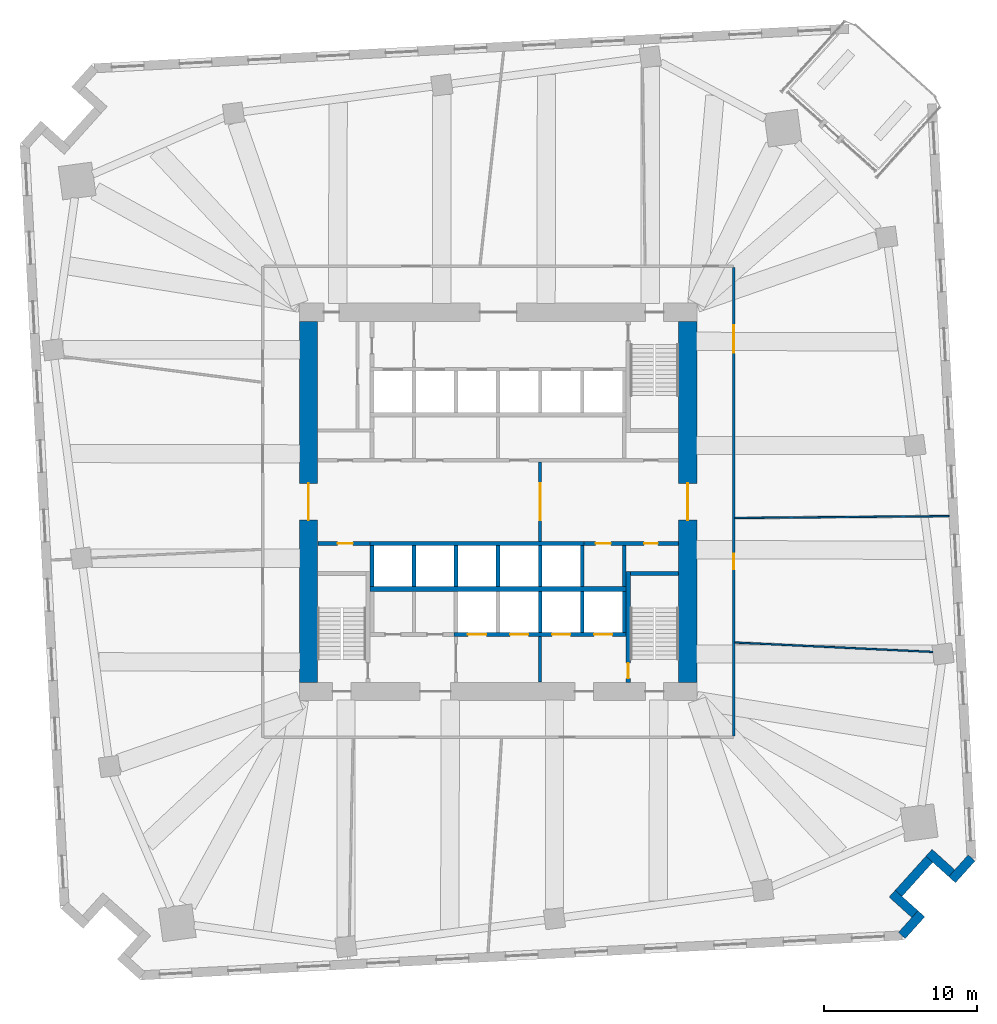
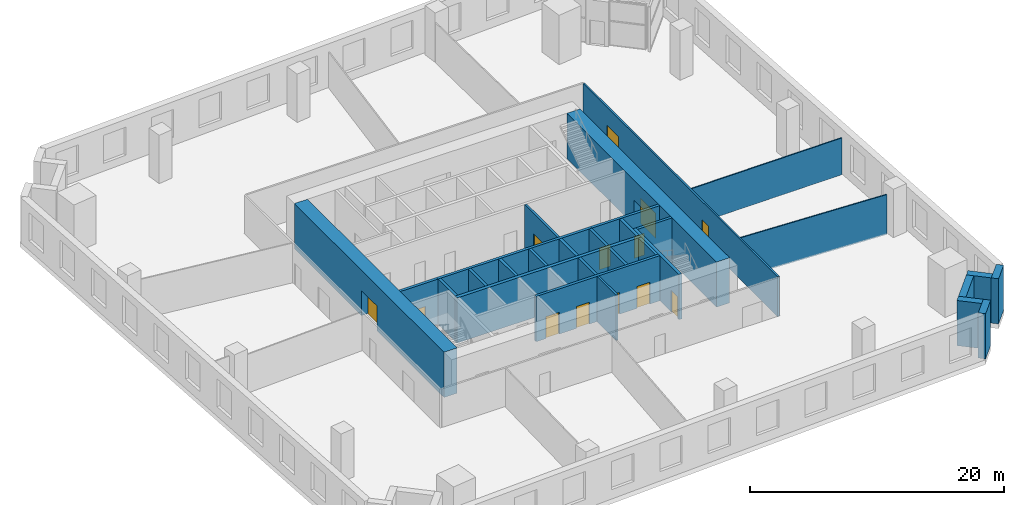
# One storey, part 5 of 10: 29 walls, 13 doors, 13 openings.
"""IFC4 building model written with IfcOpenShell, lengths in metres."""

import ifcopenshell
import ifcopenshell.guid

model = None  # the IFC model being written
_history = None  # IfcOwnerHistory: only IFC2X3 demands one
_inside = {}  # id of a spatial element -> (the spatial element, [elements in it])
_under = {}  # id of a project, library or spatial element -> (it, [spatial elements below it])
_declared = {}  # id of a project -> (the project, [libraries it declares])
_typed = {}  # id of a type object -> (the type object, [elements of that type])
_made_of = {}  # id of a material, layer set ... -> (it, [elements and type objects made of it])


def new_model(schema):
    """Start an empty IFC model of exactly this schema.

    Asked for "IFC4X3", IfcOpenShell would pick the latest addendum, in which some entities
    have other attributes; the version numbers below select the first issue.
    IFC2X3 requires an IfcOwnerHistory on every rooted entity: one is made here for all.
    """
    global model, _history
    if schema == "IFC4X3":
        model = ifcopenshell.file(schema_version=(4, 3, 0, 0))
    else:
        model = ifcopenshell.file(schema=schema)
    _inside.clear()
    _under.clear()
    _declared.clear()
    _typed.clear()
    _made_of.clear()
    _history = None
    if model.schema == "IFC2X3":
        org = make("IfcOrganization", Name="unknown")
        user = make(
            "IfcPersonAndOrganization",
            ThePerson=make("IfcPerson", FamilyName="unknown"),
            TheOrganization=org,
        )
        app = make(
            "IfcApplication",
            ApplicationDeveloper=org,
            Version="unknown",
            ApplicationFullName="unknown",
            ApplicationIdentifier="unknown",
        )
        _history = make(
            "IfcOwnerHistory",
            OwningUser=user,
            OwningApplication=app,
            ChangeAction="ADDED",
            CreationDate=0,
        )
    return model


def make(cls, **values):
    """One entity of the class cls with the attributes given. An attribute that is None is left unset."""
    return model.create_entity(
        cls, **{name: value for name, value in values.items() if value is not None}
    )


def rooted(cls, **values):
    """An entity with a GlobalId (a new one), such as an element, a storey or a relation."""
    return make(cls, GlobalId=ifcopenshell.guid.new(), OwnerHistory=_history, **values)


def si_unit(unit_type, name, prefix=None):
    """IfcSIUnit, for example si_unit("LENGTHUNIT", "METRE", prefix="MILLI")."""
    return make("IfcSIUnit", UnitType=unit_type, Prefix=prefix, Name=name)


def assignment(units):
    """IfcUnitAssignment: the units of a project."""
    return None if units is None else make("IfcUnitAssignment", Units=units)


def point(xyz):
    """IfcCartesianPoint."""
    return None if xyz is None else make("IfcCartesianPoint", Coordinates=xyz)


def direction(xyz):
    """IfcDirection."""
    return None if xyz is None else make("IfcDirection", DirectionRatios=xyz)


def frame(location, z_axis=None, x_axis=None):
    """IfcAxis2Placement3D, a coordinate frame: its origin and axes. An axis left out is left unset."""
    return make(
        "IfcAxis2Placement3D",
        Location=point(location),
        Axis=direction(z_axis),
        RefDirection=direction(x_axis),
    )


def frame_2d(location, x_axis=None):
    """IfcAxis2Placement2D, a coordinate frame in the plane: its origin and x axis."""
    return make(
        "IfcAxis2Placement2D", Location=point(location), RefDirection=direction(x_axis)
    )


def origin():
    """The frame at (0, 0, 0) with its axes left unset."""
    return frame((0.0, 0.0, 0.0))


def place(relative_to, where):
    """IfcLocalPlacement: puts the frame where relative to a parent placement (None: the world)."""
    return make(
        "IfcLocalPlacement", PlacementRelTo=relative_to, RelativePlacement=where
    )


def context(
    kind, dimensions, precision=None, world=None, true_north=None, identifier=None
):
    """IfcGeometricRepresentationContext, for example the 3D "Model" context."""
    return make(
        "IfcGeometricRepresentationContext",
        ContextIdentifier=identifier,
        ContextType=kind,
        CoordinateSpaceDimension=dimensions,
        Precision=precision,
        WorldCoordinateSystem=world,
        TrueNorth=true_north,
    )


def subcontext(parent, identifier, kind, view, scale=None):
    """IfcGeometricRepresentationSubContext, for example "Body" below "Model"."""
    return make(
        "IfcGeometricRepresentationSubContext",
        ContextIdentifier=identifier,
        ContextType=kind,
        ParentContext=parent,
        TargetScale=scale,
        TargetView=view,
    )


def project(units=None, contexts=None):
    """IfcProject with its units and contexts."""
    return rooted(
        "IfcProject",
        Name="project",
        RepresentationContexts=contexts,
        UnitsInContext=assignment(units),
    )


def spatial(cls, under=None, at=None, **own):
    """A site, building, storey or space (cls), placed at a placement, below another one or the project."""
    s = rooted(cls, ObjectPlacement=at, **own)
    if under is not None:
        _under.setdefault(under.id(), (under, []))[1].append(s)
    return s


def profile(cls, at=None, kind="AREA", **sizes):
    """A parametric profile (cls). Its sizes go by their IFC names, for example OverallWidth=200.0."""
    return make(cls, ProfileType=kind, Position=at, **sizes)


def rectangle(**sizes):
    """IfcRectangleProfileDef."""
    return profile("IfcRectangleProfileDef", **sizes)


def extrude(swept, where, along, depth):
    """IfcExtrudedAreaSolid: the profile swept, set in the frame where, extruded along a direction by depth."""
    return make(
        "IfcExtrudedAreaSolid",
        SweptArea=swept,
        Position=where,
        ExtrudedDirection=direction(along),
        Depth=depth,
    )


def shape(context_of_items, identifier, shape_type, items):
    """IfcShapeRepresentation: the items that make up one representation, for example the "Body"."""
    return make(
        "IfcShapeRepresentation",
        ContextOfItems=context_of_items,
        RepresentationIdentifier=identifier,
        RepresentationType=shape_type,
        Items=items,
    )


def material(Name=None, Category=None):
    """IfcMaterial."""
    return make("IfcMaterial", Name=Name, Category=Category)


def layer(
    of_material, thickness, ventilated=None, Name=None, Category=None, Priority=None
):
    """IfcMaterialLayer: one layer of a wall or slab, of a material (None: an air gap)."""
    return make(
        "IfcMaterialLayer",
        Material=of_material,
        LayerThickness=thickness,
        IsVentilated=ventilated,
        Name=Name,
        Category=Category,
        Priority=Priority,
    )


def layer_set(layers, Name=None):
    """IfcMaterialLayerSet."""
    return make("IfcMaterialLayerSet", MaterialLayers=layers, LayerSetName=Name)


def made_of(thing, what):
    """Note that an element or type object is made of a material, layer set ...; save() writes the relation."""
    if what is not None:
        _made_of.setdefault(what.id(), (what, []))[1].append(thing)
    return thing


def type_object(cls, material=None, **own):
    """A type object (cls), such as IfcWallType, which elements share."""
    return made_of(rooted(cls, **own), material)


def element(
    cls,
    number,
    at=None,
    inside=None,
    cuts=None,
    type_object=None,
    material=None,
    context=None,
    identifier="Body",
    shape_type=None,
    held_by="IfcProductDefinitionShape",
    body=None,
    shapes=None,
    **own,
):
    """One element of the class cls, such as IfcWall. Its Tag is "e" and its number.

    at: its placement. inside: the storey or other place that contains it. cuts: it is an
    opening in that element (IfcRelVoidsElement). A single representation is given by context,
    identifier, shape_type and body (its items); several are given by shapes. held_by: the class
    of the entity that holds the representations. save() writes the other relations.
    """
    e = rooted(cls, Tag="e%d" % number, ObjectPlacement=at, **own)
    if body is not None:
        shapes = [shape(context, identifier, shape_type, body)]
    if shapes is not None:
        e.Representation = make(held_by, Representations=shapes)
    if inside is not None:
        _inside.setdefault(inside.id(), (inside, []))[1].append(e)
    if cuts is not None:
        rooted(
            "IfcRelVoidsElement", RelatingBuildingElement=cuts, RelatedOpeningElement=e
        )
    if type_object is not None:
        _typed.setdefault(type_object.id(), (type_object, []))[1].append(e)
    return made_of(e, material)


def fill(opening, filler):
    """IfcRelFillsElement: the door or window that sits in an opening."""
    return rooted(
        "IfcRelFillsElement",
        RelatingOpeningElement=opening,
        RelatedBuildingElement=filler,
    )


def aggregate(whole, parts):
    """IfcRelAggregates: a whole, such as a stair, and the parts it consists of."""
    return rooted("IfcRelAggregates", RelatingObject=whole, RelatedObjects=parts)


def save(model, path):
    """Write the relations noted so far, then the file.

    IfcRelAggregates (storeys below a building ...), IfcRelContainedInSpatialStructure (elements
    in a storey), IfcRelDefinesByType, IfcRelAssociatesMaterial and IfcRelDeclares: one each for
    every whole, place, type object, material and project.
    """
    for whole, parts in _under.values():
        aggregate(whole, parts)
    for where, things in _inside.values():
        rooted(
            "IfcRelContainedInSpatialStructure",
            RelatedElements=things,
            RelatingStructure=where,
        )
    for kind, things in _typed.values():
        rooted("IfcRelDefinesByType", RelatedObjects=things, RelatingType=kind)
    for what, things in _made_of.values():
        rooted("IfcRelAssociatesMaterial", RelatedObjects=things, RelatingMaterial=what)
    for by, libraries in _declared.values():
        rooted("IfcRelDeclares", RelatingContext=by, RelatedDefinitions=libraries)
    model.write(path)


model = new_model("IFC4")

# Units and contexts
model_context = context("Model", 3, precision=1e-05, world=origin(), true_north=direction((0.0, 1.0)))
body_context = subcontext(model_context, "Body", "Model", "MODEL_VIEW")
ifc_project = project(units=[si_unit("LENGTHUNIT", "METRE"), si_unit("AREAUNIT", "SQUARE_METRE"), si_unit("VOLUMEUNIT", "CUBIC_METRE"), si_unit("PLANEANGLEUNIT", "RADIAN"), si_unit("MASSUNIT", "GRAM", prefix="KILO")], contexts=[model_context])

# Site, building, storey
site_placement = place(None, origin())
site = spatial("IfcSite", under=ifc_project, at=site_placement, CompositionType="ELEMENT")
building_placement = place(site_placement, origin())
building = spatial("IfcBuilding", under=site, at=building_placement, Name="Dilmun Exchange Tower", CompositionType="ELEMENT")
storey_placement = place(building_placement, frame((0.0, 0.0, 32.10009765625)))
storey = spatial("IfcBuildingStorey", under=building, at=storey_placement, Name="L07", CompositionType="ELEMENT", Elevation=32.10009765625)

# Wall
ifc_material_1 = material(Name="Concrete C40/50", Category="concrete")
ifc_layer_1 = layer(ifc_material_1, 0.199951171875)
ifc_layer_set_1 = layer_set([ifc_layer_1], Name="Concrete C40/50")
wall_type_1 = type_object("IfcWallType", Name="Core partition wall 200", PredefinedType="PARTITIONING", material=ifc_layer_set_1)
wall_1_placement = place(storey_placement, frame((2.75, -11.794921875, 0.0), z_axis=(0.0, 0.0, 1.0), x_axis=(0.0, 1.0, 0.0)))
element("IfcWall", 1, at=wall_1_placement, inside=storey, type_object=wall_type_1, Name="L07 core partition wall 02", PredefinedType="PARTITIONING", context=body_context, shape_type="SweptSolid", body=[
    extrude(rectangle(XDim=2.989990234375, YDim=0.199951171875, at=frame_2d((1.4951171875, 0.0))), origin(), (0.0, 0.0, 1.0), 4.349853515625),
])

# Wall, opening, door
wall_2_placement = place(storey_placement, frame((2.75, -2.594970703125, 0.0), z_axis=(0.0, 0.0, 1.0), x_axis=(0.0, 1.0, 0.0)))
wall_2 = element("IfcWall", 2, at=wall_2_placement, inside=storey, type_object=wall_type_1, Name="L07 core partition wall 09", PredefinedType="PARTITIONING", context=body_context, shape_type="SweptSolid", body=[
    extrude(rectangle(XDim=5.18994140625, YDim=0.199951171875, at=frame_2d((2.594970703125, 0.0))), origin(), (0.0, 0.0, 1.0), 4.349853515625),
])
opening_1_placement = place(wall_2_placement, frame((1.39501953125, 0.0, 0.0)))
opening_1 = element("IfcOpeningElement", 3, at=opening_1_placement, cuts=wall_2, Name="Opening CD1", PredefinedType="OPENING", context=body_context, shape_type="SweptSolid", body=[
    extrude(rectangle(XDim=2.39990234375, YDim=2.39990234375, at=frame_2d((1.199951171875, 1.199951171875))), frame((0.0, 0.10986328125, 0.0), z_axis=(0.0, -1.0, 0.0), x_axis=(1.0, 0.0, 0.0)), (0.0, 0.0, 1.0), 0.219970703125),
])
ifc_material_2 = material(Name="Fire-rated steel door set", Category="steel")
door_type_1 = type_object("IfcDoorType", Name="Core lobby door 2400x2400", OperationType="DOUBLE_DOOR_DOUBLE_SWING", PredefinedType="DOOR", material=ifc_material_2)
door_1_placement = place(opening_1_placement, origin())
door_1 = element("IfcDoor", 4, at=door_1_placement, inside=storey, type_object=door_type_1, Name="L07 door Lift lobby east", OperationType="DOUBLE_DOOR_DOUBLE_SWING", OverallHeight=2.39990234375, OverallWidth=2.39990234375, PredefinedType="DOOR", context=body_context, shape_type="SweptSolid", body=[
    extrude(rectangle(XDim=2.39990234375, YDim=2.39990234375, at=frame_2d((1.199951171875, 1.199951171875))), frame((0.0, 0.02490234375, 0.0), z_axis=(0.0, -1.0, 0.0), x_axis=(1.0, 0.0, 0.0)), (0.0, 0.0, 1.0), 0.050048828125),
])
fill(opening_1, door_1)

# Wall
ifc_layer_2 = layer(ifc_material_1, 0.25)
ifc_layer_set_2 = layer_set([ifc_layer_2], Name="Concrete C40/50")
wall_type_2 = type_object("IfcWallType", Name="Core partition wall 250", PredefinedType="PARTITIONING", material=ifc_layer_set_2)
wall_3_placement = place(storey_placement, frame((8.25, -5.544921875, 0.0), z_axis=(0.0, 0.0, 1.0), x_axis=(0.0, 1.0, 0.0)))
element("IfcWall", 5, at=wall_3_placement, inside=storey, type_object=wall_type_2, Name="L07 core partition wall 06", PredefinedType="PARTITIONING", context=body_context, shape_type="SweptSolid", body=[
    extrude(rectangle(XDim=2.68994140625, YDim=0.25, at=frame_2d((1.344970703125, 0.0))), origin(), (0.0, 0.0, 1.0), 4.349853515625),
])

# Wall, opening, door
wall_4_placement = place(storey_placement, frame((-11.794921875, -2.72509765625, 0.0), z_axis=(0.0, 0.0, 1.0), x_axis=(1.0, 0.0, 0.0)))
wall_4 = element("IfcWall", 6, at=wall_4_placement, inside=storey, type_object=wall_type_2, Name="L07 core partition wall 07", PredefinedType="PARTITIONING", context=body_context, shape_type="SweptSolid", body=[
    extrude(rectangle(XDim=3.4150390625, YDim=0.25, at=frame_2d((1.70751953125, 0.0))), origin(), (0.0, 0.0, 1.0), 4.349853515625),
])
opening_2_placement = place(wall_4_placement, frame((1.294921875, 0.0, 0.0)))
opening_2 = element("IfcOpeningElement", 7, at=opening_2_placement, cuts=wall_4, Name="Opening CD4", PredefinedType="OPENING", context=body_context, shape_type="SweptSolid", body=[
    extrude(rectangle(XDim=1.0, YDim=2.10009765625, at=frame_2d((0.5, 1.050048828125))), frame((0.0, 0.135009765625, 0.0), z_axis=(0.0, -1.0, 0.0), x_axis=(1.0, 0.0, 0.0)), (0.0, 0.0, 1.0), 0.27001953125),
])
door_type_2 = type_object("IfcDoorType", Name="Core room door 1000x2100", OperationType="SINGLE_SWING_LEFT", PredefinedType="DOOR", material=ifc_material_2)
door_2_placement = place(opening_2_placement, origin())
door_2 = element("IfcDoor", 8, at=door_2_placement, inside=storey, type_object=door_type_2, Name="L07 door Accessible WC", OperationType="SINGLE_SWING_RIGHT", OverallHeight=2.10009765625, OverallWidth=1.0, PredefinedType="DOOR", context=body_context, shape_type="SweptSolid", body=[
    extrude(rectangle(XDim=1.0, YDim=2.10009765625, at=frame_2d((0.5, 1.050048828125))), frame((0.0, 0.02490234375, 0.0), z_axis=(0.0, -1.0, 0.0), x_axis=(1.0, 0.0, 0.0)), (0.0, 0.0, 1.0), 0.050048828125),
])
fill(opening_2, door_2)

# Wall, openings, doors
wall_5_placement = place(storey_placement, frame((5.6298828125, -2.72509765625, 0.0), z_axis=(0.0, 0.0, 1.0), x_axis=(1.0, 0.0, 0.0)))
wall_5 = element("IfcWall", 9, at=wall_5_placement, inside=storey, type_object=wall_type_2, Name="L07 core partition wall 08", PredefinedType="PARTITIONING", context=body_context, shape_type="SweptSolid", body=[
    extrude(rectangle(XDim=6.1650390625, YDim=0.25, at=frame_2d((3.08251953125, 0.0))), origin(), (0.0, 0.0, 1.0), 4.349853515625),
])
opening_3_placement = place(wall_5_placement, frame((0.7451171875, 0.0, 0.0)))
opening_3 = element("IfcOpeningElement", 10, at=opening_3_placement, cuts=wall_5, Name="Opening CD4", PredefinedType="OPENING", context=body_context, shape_type="SweptSolid", body=[
    extrude(rectangle(XDim=1.0, YDim=2.10009765625, at=frame_2d((0.5, 1.050048828125))), frame((0.0, 0.135009765625, 0.0), z_axis=(0.0, -1.0, 0.0), x_axis=(1.0, 0.0, 0.0)), (0.0, 0.0, 1.0), 0.27001953125),
])
opening_4_placement = place(wall_5_placement, frame((3.919921875, 0.0, 0.0)))
opening_4 = element("IfcOpeningElement", 11, at=opening_4_placement, cuts=wall_5, Name="Opening CD6", PredefinedType="OPENING", context=body_context, shape_type="SweptSolid", body=[
    extrude(rectangle(XDim=0.89990234375, YDim=2.10009765625, at=frame_2d((0.449951171875, 1.050048828125))), frame((0.0, 0.135009765625, 0.0), z_axis=(0.0, -1.0, 0.0), x_axis=(1.0, 0.0, 0.0)), (0.0, 0.0, 1.0), 0.27001953125),
])
door_3_placement = place(opening_3_placement, origin())
door_3 = element("IfcDoor", 12, at=door_3_placement, inside=storey, type_object=door_type_2, Name="L07 door Cleaners' store", OperationType="SINGLE_SWING_RIGHT", OverallHeight=2.10009765625, OverallWidth=1.0, PredefinedType="DOOR", context=body_context, shape_type="SweptSolid", body=[
    extrude(rectangle(XDim=1.0, YDim=2.10009765625, at=frame_2d((0.5, 1.050048828125))), frame((0.0, 0.02490234375, 0.0), z_axis=(0.0, -1.0, 0.0), x_axis=(1.0, 0.0, 0.0)), (0.0, 0.0, 1.0), 0.050048828125),
])
fill(opening_3, door_3)
door_type_3 = type_object("IfcDoorType", Name="Core room door 900x2100", OperationType="SINGLE_SWING_LEFT", PredefinedType="DOOR", material=ifc_material_2)
door_4_placement = place(opening_4_placement, origin())
door_4 = element("IfcDoor", 13, at=door_4_placement, inside=storey, type_object=door_type_3, Name="L07 door Comms riser", OperationType="SINGLE_SWING_RIGHT", OverallHeight=2.10009765625, OverallWidth=0.89990234375, PredefinedType="DOOR", context=body_context, shape_type="SweptSolid", body=[
    extrude(rectangle(XDim=0.89990234375, YDim=2.10009765625, at=frame_2d((0.449951171875, 1.050048828125))), frame((0.0, 0.02490234375, 0.0), z_axis=(0.0, -1.0, 0.0), x_axis=(1.0, 0.0, 0.0)), (0.0, 0.0, 1.0), 0.050048828125),
])
fill(opening_4, door_4)

# Wall, opening, door
ifc_material_3 = material(Name="Concrete C80/95", Category="concrete")
ifc_layer_3 = layer(ifc_material_3, 1.199951171875)
ifc_layer_set_3 = layer_set([ifc_layer_3], Name="Concrete C80/95")
wall_type_3 = type_object("IfcWallType", Name="Core shear wall 1200 Concrete C80/95", PredefinedType="SHEAR", material=ifc_layer_set_3)
wall_6_placement = place(storey_placement, frame((12.39990234375, -11.800048828125, 0.0), z_axis=(0.0, 0.0, 1.0), x_axis=(0.0, 1.0, 0.0)))
wall_6 = element("IfcWall", 14, at=wall_6_placement, inside=storey, type_object=wall_type_3, Name="L07 core shear wall E", PredefinedType="SHEAR", context=body_context, shape_type="SweptSolid", body=[
    extrude(rectangle(XDim=23.60009765625, YDim=1.199951171875, at=frame_2d((11.800048828125, 0.0))), origin(), (0.0, 0.0, 1.0), 4.349853515625),
])
opening_5_placement = place(wall_6_placement, frame((10.60009765625, 0.0, 0.0)))
opening_5 = element("IfcOpeningElement", 15, at=opening_5_placement, cuts=wall_6, Name="Opening CD1", PredefinedType="OPENING", context=body_context, shape_type="SweptSolid", body=[
    extrude(rectangle(XDim=2.39990234375, YDim=2.39990234375, at=frame_2d((1.199951171875, 1.199951171875))), frame((0.0, 0.60986328125, 0.0), z_axis=(0.0, -1.0, 0.0), x_axis=(1.0, 0.0, 0.0)), (0.0, 0.0, 1.0), 1.219970703125),
])
door_5_placement = place(opening_5_placement, origin())
door_5 = element("IfcDoor", 16, at=door_5_placement, inside=storey, type_object=door_type_1, Name="L07 door Central lift lobby", OperationType="SINGLE_SWING_LEFT", OverallHeight=2.39990234375, OverallWidth=2.39990234375, PredefinedType="DOOR", context=body_context, shape_type="SweptSolid", body=[
    extrude(rectangle(XDim=2.39990234375, YDim=2.39990234375, at=frame_2d((1.199951171875, 1.199951171875))), frame((0.0, 0.02490234375, 0.0), z_axis=(0.0, -1.0, 0.0), x_axis=(1.0, 0.0, 0.0)), (0.0, 0.0, 1.0), 0.050048828125),
])
fill(opening_5, door_5)

wall_7_placement = place(storey_placement, frame((-12.39990234375, -11.800048828125, 0.0), z_axis=(0.0, 0.0, 1.0), x_axis=(0.0, 1.0, 0.0)))
wall_7 = element("IfcWall", 17, at=wall_7_placement, inside=storey, type_object=wall_type_3, Name="L07 core shear wall W", PredefinedType="SHEAR", context=body_context, shape_type="SweptSolid", body=[
    extrude(rectangle(XDim=23.60009765625, YDim=1.199951171875, at=frame_2d((11.800048828125, 0.0))), origin(), (0.0, 0.0, 1.0), 4.349853515625),
])
opening_6_placement = place(wall_7_placement, frame((10.60009765625, 0.0, 0.0)))
opening_6 = element("IfcOpeningElement", 18, at=opening_6_placement, cuts=wall_7, Name="Opening CD1", PredefinedType="OPENING", context=body_context, shape_type="SweptSolid", body=[
    extrude(rectangle(XDim=2.39990234375, YDim=2.39990234375, at=frame_2d((1.199951171875, 1.199951171875))), frame((0.0, 0.60986328125, 0.0), z_axis=(0.0, -1.0, 0.0), x_axis=(1.0, 0.0, 0.0)), (0.0, 0.0, 1.0), 1.219970703125),
])
door_6_placement = place(opening_6_placement, origin())
door_6 = element("IfcDoor", 19, at=door_6_placement, inside=storey, type_object=door_type_1, Name="L07 door Central lift lobby", OperationType="SINGLE_SWING_LEFT", OverallHeight=2.39990234375, OverallWidth=2.39990234375, PredefinedType="DOOR", context=body_context, shape_type="SweptSolid", body=[
    extrude(rectangle(XDim=2.39990234375, YDim=2.39990234375, at=frame_2d((1.199951171875, 1.199951171875))), frame((0.0, 0.02490234375, 0.0), z_axis=(0.0, -1.0, 0.0), x_axis=(1.0, 0.0, 0.0)), (0.0, 0.0, 1.0), 0.050048828125),
])
fill(opening_6, door_6)

# Wall, openings, doors
ifc_material_4 = material(Name="Corridor wall 150")
ifc_layer_4 = layer(ifc_material_4, 0.14990234375)
ifc_layer_set_4 = layer_set([ifc_layer_4], Name="Corridor wall 150")
wall_type_4 = type_object("IfcWallType", Name="Corridor wall 150", PredefinedType="PARTITIONING", material=ifc_layer_set_4)
wall_8_placement = place(storey_placement, frame((15.39990234375, -15.324951171875, 0.0), z_axis=(0.0, 0.0, 1.0), x_axis=(0.0, 1.0, 0.0)))
wall_8 = element("IfcWall", 20, at=wall_8_placement, inside=storey, type_object=wall_type_4, Name="Corridor wall", PredefinedType="PARTITIONING", context=body_context, shape_type="SweptSolid", body=[
    extrude(rectangle(XDim=30.64990234375, YDim=0.14990234375, at=frame_2d((15.324951171875, 0.0))), origin(), (0.0, 0.0, 1.0), 3.849853515625),
])
opening_7_placement = place(wall_8_placement, frame((25.067626953125, 0.0, 0.0)))
opening_7 = element("IfcOpeningElement", 21, at=opening_7_placement, cuts=wall_8, Name="Opening TF05-D11", PredefinedType="OPENING", context=body_context, shape_type="SweptSolid", body=[
    extrude(rectangle(XDim=1.800048828125, YDim=2.10009765625, at=frame_2d((0.89990234375, 1.050048828125))), frame((0.0, 0.0849609375, 0.0), z_axis=(0.0, -1.0, 0.0), x_axis=(1.0, 0.0, 0.0)), (0.0, 0.0, 1.0), 0.169921875),
])
opening_8_placement = place(wall_8_placement, frame((10.927490234375, 0.0, 0.0)))
opening_8 = element("IfcOpeningElement", 22, at=opening_8_placement, cuts=wall_8, Name="Opening TF05-D13", PredefinedType="OPENING", context=body_context, shape_type="SweptSolid", body=[
    extrude(rectangle(XDim=1.0, YDim=2.10009765625, at=frame_2d((0.5, 1.050048828125))), frame((0.0, 0.0849609375, 0.0), z_axis=(0.0, -1.0, 0.0), x_axis=(1.0, 0.0, 0.0)), (0.0, 0.0, 1.0), 0.169921875),
])
ifc_material_5 = material(Name="Fire door 1000 x 2100")
door_type_4 = type_object("IfcDoorType", Name="Fire door 1000 x 2100", OperationType="NOTDEFINED", PredefinedType="DOOR", material=ifc_material_5)
door_7_placement = place(opening_8_placement, frame((1.0, 0.0, 0.0), z_axis=(0.0, 0.0, 1.0), x_axis=(-1.0, 0.0, 0.0)))
door_7 = element("IfcDoor", 23, at=door_7_placement, inside=storey, type_object=door_type_4, Name="Door TF05-D13", OperationType="SINGLE_SWING_RIGHT", OverallHeight=2.10009765625, OverallWidth=1.0, PredefinedType="DOOR", context=body_context, shape_type="SweptSolid", body=[
    extrude(rectangle(XDim=1.0, YDim=2.10009765625, at=frame_2d((0.5, 1.050048828125))), frame((0.0, 0.02490234375, 0.0), z_axis=(0.0, -1.0, 0.0), x_axis=(1.0, 0.0, 0.0)), (0.0, 0.0, 1.0), 0.050048828125),
])
fill(opening_8, door_7)
ifc_material_6 = material(Name="Fire door pair 1800 x 2100")
door_type_5 = type_object("IfcDoorType", Name="Fire door pair 1800 x 2100", OperationType="NOTDEFINED", PredefinedType="DOOR", material=ifc_material_6)
door_8_placement = place(opening_7_placement, frame((1.800048828125, 0.0, 0.0), z_axis=(0.0, 0.0, 1.0), x_axis=(-1.0, 0.0, 0.0)))
door_8 = element("IfcDoor", 24, at=door_8_placement, inside=storey, type_object=door_type_5, Name="Door TF05-D11", OperationType="DOUBLE_DOOR_SINGLE_SWING", OverallHeight=2.10009765625, OverallWidth=1.800048828125, PredefinedType="DOOR", context=body_context, shape_type="SweptSolid", body=[
    extrude(rectangle(XDim=1.800048828125, YDim=2.10009765625, at=frame_2d((0.89990234375, 1.050048828125))), frame((0.0, 0.02490234375, 0.0), z_axis=(0.0, -1.0, 0.0), x_axis=(1.0, 0.0, 0.0)), (0.0, 0.0, 1.0), 0.050048828125),
])
fill(opening_7, door_8)

# Walls
ifc_layer_5 = layer(ifc_material_1, 0.300048828125)
ifc_layer_set_5 = layer_set([ifc_layer_5], Name="Concrete C40/50")
wall_type_5 = type_object("IfcWallType", Name="Lift shaft shared wall 300", PredefinedType="SOLIDWALL", material=ifc_layer_set_5)
wall_9_placement = place(storey_placement, frame((-8.375, -5.699951171875, 0.0), z_axis=(0.0, 0.0, 1.0), x_axis=(1.0, 0.0, 0.0)))
element("IfcWall", 25, at=wall_9_placement, inside=storey, type_object=wall_type_5, Name="L07 lift shaft rear wall S", PredefinedType="SOLIDWALL", context=body_context, shape_type="SweptSolid", body=[
    extrude(rectangle(XDim=16.75, YDim=0.300048828125, at=frame_2d((8.375, 0.0))), origin(), (0.0, 0.0, 1.0), 4.349853515625),
])
ifc_layer_6 = layer(ifc_material_1, 0.25)
ifc_layer_set_6 = layer_set([ifc_layer_6], Name="Concrete C40/50")
wall_type_6 = type_object("IfcWallType", Name="Lift shaft wall 250", PredefinedType="SOLIDWALL", material=ifc_layer_set_6)
wall_10_placement = place(storey_placement, frame((-8.375, -2.72509765625, 0.0), z_axis=(0.0, 0.0, 1.0), x_axis=(1.0, 0.0, 0.0)))
element("IfcWall", 26, at=wall_10_placement, inside=storey, type_object=wall_type_6, Name="L07 lift shaft front wall S1", PredefinedType="SOLIDWALL", context=body_context, shape_type="SweptSolid", body=[
    extrude(rectangle(XDim=14.0, YDim=0.25, at=frame_2d((7.0, 0.0))), origin(), (0.0, 0.0, 1.0), 4.349853515625),
])
for number, where, z_axis, x_axis, name in (
    (27, (-8.25, -5.550048828125, 0.0), (0.0, 0.0, 1.0), (0.0, 1.0, 0.0), "L07 lift shaft divider S10"),
    (28, (-5.5, -5.550048828125, 0.0), (0.0, 0.0, 1.0), (0.0, 1.0, 0.0), "L07 lift shaft divider S11"),
    (29, (-2.75, -5.550048828125, 0.0), (0.0, 0.0, 1.0), (0.0, 1.0, 0.0), "L07 lift shaft divider S12"),
    (30, (0.0, -5.550048828125, 0.0), (0.0, 0.0, 1.0), (0.0, 1.0, 0.0), "L07 lift shaft divider S13"),
    (31, (2.75, -5.550048828125, 0.0), (0.0, 0.0, 1.0), (0.0, 1.0, 0.0), "L07 lift shaft divider S14"),
    (32, (5.5, -5.550048828125, 0.0), (0.0, 0.0, 1.0), (0.0, 1.0, 0.0), "L07 lift shaft divider S15"),
):
    element("IfcWall", number, at=place(storey_placement, frame(where, z_axis=z_axis, x_axis=x_axis)), inside=storey, type_object=wall_type_6, Name=name, PredefinedType="SOLIDWALL", context=body_context, shape_type="SweptSolid", body=[
        extrude(rectangle(XDim=2.699951171875, YDim=0.25, at=frame_2d((1.35009765625, 0.0))), origin(), (0.0, 0.0, 1.0), 4.349853515625),
    ])

# Wall, openings, doors
wall_11_placement = place(storey_placement, frame((-2.875, -8.675048828125, 0.0), z_axis=(0.0, 0.0, 1.0), x_axis=(1.0, 0.0, 0.0)))
wall_11 = element("IfcWall", 33, at=wall_11_placement, inside=storey, type_object=wall_type_6, Name="L07 lift shaft front wall S2", PredefinedType="SOLIDWALL", context=body_context, shape_type="SweptSolid", body=[
    extrude(rectangle(XDim=11.25, YDim=0.25, at=frame_2d((5.625, 0.0))), origin(), (0.0, 0.0, 1.0), 4.349853515625),
])
opening_9_placement = place(wall_11_placement, frame((0.89990234375, 0.0, 0.0)))
opening_9 = element("IfcOpeningElement", 34, at=opening_9_placement, cuts=wall_11, Name="Opening LD", PredefinedType="OPENING", context=body_context, shape_type="SweptSolid", body=[
    extrude(rectangle(XDim=1.199951171875, YDim=2.10009765625, at=frame_2d((0.60009765625, 1.050048828125))), frame((0.0, 0.135009765625, 0.0), z_axis=(0.0, -1.0, 0.0), x_axis=(1.0, 0.0, 0.0)), (0.0, 0.0, 1.0), 0.27001953125),
])
opening_10_placement = place(wall_11_placement, frame((3.64990234375, 0.0, 0.0)))
opening_10 = element("IfcOpeningElement", 35, at=opening_10_placement, cuts=wall_11, Name="Opening LD", PredefinedType="OPENING", context=body_context, shape_type="SweptSolid", body=[
    extrude(rectangle(XDim=1.199951171875, YDim=2.10009765625, at=frame_2d((0.60009765625, 1.050048828125))), frame((0.0, 0.135009765625, 0.0), z_axis=(0.0, -1.0, 0.0), x_axis=(1.0, 0.0, 0.0)), (0.0, 0.0, 1.0), 0.27001953125),
])
opening_11_placement = place(wall_11_placement, frame((6.39990234375, 0.0, 0.0)))
opening_11 = element("IfcOpeningElement", 36, at=opening_11_placement, cuts=wall_11, Name="Opening LD", PredefinedType="OPENING", context=body_context, shape_type="SweptSolid", body=[
    extrude(rectangle(XDim=1.199951171875, YDim=2.10009765625, at=frame_2d((0.60009765625, 1.050048828125))), frame((0.0, 0.135009765625, 0.0), z_axis=(0.0, -1.0, 0.0), x_axis=(1.0, 0.0, 0.0)), (0.0, 0.0, 1.0), 0.27001953125),
])
opening_12_placement = place(wall_11_placement, frame((9.14990234375, 0.0, 0.0)))
opening_12 = element("IfcOpeningElement", 37, at=opening_12_placement, cuts=wall_11, Name="Opening LD", PredefinedType="OPENING", context=body_context, shape_type="SweptSolid", body=[
    extrude(rectangle(XDim=1.199951171875, YDim=2.10009765625, at=frame_2d((0.60009765625, 1.050048828125))), frame((0.0, 0.135009765625, 0.0), z_axis=(0.0, -1.0, 0.0), x_axis=(1.0, 0.0, 0.0)), (0.0, 0.0, 1.0), 0.27001953125),
])
door_type_6 = type_object("IfcDoorType", Name="Lift landing door 1200x2100", OperationType="DOUBLE_DOOR_SLIDING", PredefinedType="DOOR", material=ifc_material_2)
door_9_placement = place(opening_9_placement, origin())
door_9 = element("IfcDoor", 38, at=door_9_placement, inside=storey, type_object=door_type_6, Name="L07 landing door SV1", OperationType="DOUBLE_DOOR_SLIDING", OverallHeight=2.10009765625, OverallWidth=1.199951171875, PredefinedType="DOOR", context=body_context, shape_type="SweptSolid", body=[
    extrude(rectangle(XDim=1.199951171875, YDim=2.10009765625, at=frame_2d((0.60009765625, 1.050048828125))), frame((0.0, 0.02490234375, 0.0), z_axis=(0.0, -1.0, 0.0), x_axis=(1.0, 0.0, 0.0)), (0.0, 0.0, 1.0), 0.050048828125),
])
fill(opening_9, door_9)
door_10_placement = place(opening_10_placement, origin())
door_10 = element("IfcDoor", 39, at=door_10_placement, inside=storey, type_object=door_type_6, Name="L07 landing door SV2", OperationType="DOUBLE_DOOR_SLIDING", OverallHeight=2.10009765625, OverallWidth=1.199951171875, PredefinedType="DOOR", context=body_context, shape_type="SweptSolid", body=[
    extrude(rectangle(XDim=1.199951171875, YDim=2.10009765625, at=frame_2d((0.60009765625, 1.050048828125))), frame((0.0, 0.02490234375, 0.0), z_axis=(0.0, -1.0, 0.0), x_axis=(1.0, 0.0, 0.0)), (0.0, 0.0, 1.0), 0.050048828125),
])
fill(opening_10, door_10)
door_11_placement = place(opening_11_placement, origin())
door_11 = element("IfcDoor", 40, at=door_11_placement, inside=storey, type_object=door_type_6, Name="L07 landing door FF1", OperationType="DOUBLE_DOOR_SLIDING", OverallHeight=2.10009765625, OverallWidth=1.199951171875, PredefinedType="DOOR", context=body_context, shape_type="SweptSolid", body=[
    extrude(rectangle(XDim=1.199951171875, YDim=2.10009765625, at=frame_2d((0.60009765625, 1.050048828125))), frame((0.0, 0.02490234375, 0.0), z_axis=(0.0, -1.0, 0.0), x_axis=(1.0, 0.0, 0.0)), (0.0, 0.0, 1.0), 0.050048828125),
])
fill(opening_11, door_11)
door_12_placement = place(opening_12_placement, origin())
door_12 = element("IfcDoor", 41, at=door_12_placement, inside=storey, type_object=door_type_6, Name="L07 landing door FF2", OperationType="DOUBLE_DOOR_SLIDING", OverallHeight=2.10009765625, OverallWidth=1.199951171875, PredefinedType="DOOR", context=body_context, shape_type="SweptSolid", body=[
    extrude(rectangle(XDim=1.199951171875, YDim=2.10009765625, at=frame_2d((0.60009765625, 1.050048828125))), frame((0.0, 0.02490234375, 0.0), z_axis=(0.0, -1.0, 0.0), x_axis=(1.0, 0.0, 0.0)), (0.0, 0.0, 1.0), 0.050048828125),
])
fill(opening_12, door_12)

# Walls
for number, where, z_axis, x_axis, name in (
    (42, (2.75, -8.550048828125, 0.0), (0.0, 0.0, 1.0), (0.0, 1.0, 0.0), "L07 lift shaft divider S24"),
    (43, (5.5, -8.550048828125, 0.0), (0.0, 0.0, 1.0), (0.0, 1.0, 0.0), "L07 lift shaft divider S25"),
    (44, (8.25, -8.550048828125, 0.0), (0.0, 0.0, 1.0), (0.0, 1.0, 0.0), "L07 lift shaft divider S26"),
):
    element("IfcWall", number, at=place(storey_placement, frame(where, z_axis=z_axis, x_axis=x_axis)), inside=storey, type_object=wall_type_6, Name=name, PredefinedType="SOLIDWALL", context=body_context, shape_type="SweptSolid", body=[
        extrude(rectangle(XDim=2.699951171875, YDim=0.25, at=frame_2d((1.35009765625, 0.0))), origin(), (0.0, 0.0, 1.0), 4.349853515625),
    ])
ifc_material_7 = material(Name="Partition 100")
ifc_layer_7 = layer(ifc_material_7, 0.10009765625)
ifc_layer_set_7 = layer_set([ifc_layer_7], Name="Partition 100")
wall_type_7 = type_object("IfcWallType", Name="Partition 100", PredefinedType="PARTITIONING", material=ifc_layer_set_7)
wall_12_placement = place(storey_placement, frame((15.477294921875, -9.19970703125, 0.0), z_axis=(0.0, 0.0, 1.0), x_axis=(0.998880891155, -0.04729656738, 0.0)))
element("IfcWall", 45, at=wall_12_placement, inside=storey, type_object=wall_type_7, Name="Partition", PredefinedType="PARTITIONING", context=body_context, shape_type="SweptSolid", body=[
    extrude(rectangle(XDim=12.956298828125, YDim=0.10009765625, at=frame_2d((6.47802734375, 0.0))), origin(), (0.0, 0.0, 1.0), 3.849853515625),
])
wall_13_placement = place(storey_placement, frame((15.475341796875, -1.056396484375, 0.0), z_axis=(0.0, 0.0, 1.0), x_axis=(0.999960210713, 0.00892059359, 0.0)))
element("IfcWall", 46, at=wall_13_placement, inside=storey, type_object=wall_type_7, Name="Partition", PredefinedType="PARTITIONING", context=body_context, shape_type="SweptSolid", body=[
    extrude(rectangle(XDim=14.012451171875, YDim=0.10009765625, at=frame_2d((7.00634765625, 0.0))), origin(), (0.0, 0.0, 1.0), 3.5498046875),
])
ifc_material_8 = material(Name="Precast concrete C50/60", Category="concrete")
ifc_layer_8 = layer(ifc_material_8, 0.60009765625)
ifc_layer_set_8 = layer_set([ifc_layer_8], Name="Precast concrete C50/60")
wall_type_8 = type_object("IfcWallType", Name="Precast stone-clad wall 600", PredefinedType="STANDARD", material=ifc_layer_set_8)
wall_14_placement = place(storey_placement, frame((26.39599609375, -28.357421875, 0.0), z_axis=(0.0, 0.0, 1.0), x_axis=(0.669091754139, 0.743179806334, 0.0)))
element("IfcWall", 47, at=wall_14_placement, inside=storey, type_object=wall_type_8, Name="Facade wall L07-16", PredefinedType="STANDARD", context=body_context, shape_type="SweptSolid", body=[
    extrude(rectangle(XDim=1.911376953125, YDim=0.60009765625, at=frame_2d((0.95556640625, 0.0))), origin(), (0.0, 0.0, 1.0), 4.349853515625),
])
wall_15_placement = place(storey_placement, frame((27.251220703125, -26.959228515625, 0.0), z_axis=(0.0, 0.0, 1.0), x_axis=(-0.743184876971, 0.669086121991, 0.0)))
element("IfcWall", 48, at=wall_15_placement, inside=storey, type_object=wall_type_8, Name="Facade wall L07-17", PredefinedType="STANDARD", context=body_context, shape_type="SweptSolid", body=[
    extrude(rectangle(XDim=2.0, YDim=0.60009765625, at=frame_2d((1.0, 0.0))), origin(), (0.0, 0.0, 1.0), 4.349853515625),
])
wall_16_placement = place(storey_placement, frame((26.188720703125, -25.598876953125, 0.0), z_axis=(0.0, 0.0, 1.0), x_axis=(0.669108595814, 0.743164643271, 0.0)))
element("IfcWall", 49, at=wall_16_placement, inside=storey, type_object=wall_type_8, Name="Facade wall L07-18", PredefinedType="STANDARD", context=body_context, shape_type="SweptSolid", body=[
    extrude(rectangle(XDim=3.0, YDim=0.60009765625, at=frame_2d((1.5, 0.0))), origin(), (0.0, 0.0, 1.0), 4.349853515625),
])
wall_17_placement = place(storey_placement, frame((28.173828125, -22.94580078125, 0.0), z_axis=(0.0, 0.0, 1.0), x_axis=(0.743184876971, -0.669086121991, 0.0)))
element("IfcWall", 50, at=wall_17_placement, inside=storey, type_object=wall_type_8, Name="Facade wall L07-19", PredefinedType="STANDARD", context=body_context, shape_type="SweptSolid", body=[
    extrude(rectangle(XDim=2.0, YDim=0.60009765625, at=frame_2d((1.0, 0.0))), origin(), (0.0, 0.0, 1.0), 4.349853515625),
])
wall_18_placement = place(storey_placement, frame((29.682373046875, -24.70751953125, 0.0), z_axis=(0.0, 0.0, 1.0), x_axis=(0.669155276156, 0.743122611951, 0.0)))
element("IfcWall", 51, at=wall_18_placement, inside=storey, type_object=wall_type_8, Name="Facade wall L07-20", PredefinedType="STANDARD", context=body_context, shape_type="SweptSolid", body=[
    extrude(rectangle(XDim=1.9111328125, YDim=0.60009765625, at=frame_2d((0.95556640625, 0.0))), origin(), (0.0, 0.0, 1.0), 4.349853515625),
])
ifc_layer_9 = layer(ifc_material_1, 0.25)
ifc_layer_set_9 = layer_set([ifc_layer_9], Name="Concrete C40/50")
wall_type_9 = type_object("IfcWallType", Name="Stair end wall 250", PredefinedType="SOLIDWALL", material=ifc_layer_set_9)
wall_19_placement = place(storey_placement, frame((8.64990234375, -4.675048828125, 0.0), z_axis=(0.0, 0.0, 1.0), x_axis=(1.0, 0.0, 0.0)))
element("IfcWall", 52, at=wall_19_placement, inside=storey, type_object=wall_type_9, Name="L07 ST3 far wall", PredefinedType="SOLIDWALL", context=body_context, shape_type="SweptSolid", body=[
    extrude(rectangle(XDim=3.150146484375, YDim=0.25, at=frame_2d((1.5751953125, 0.0))), origin(), (0.0, 0.0, 1.0), 4.349853515625),
])

# Wall, opening, door
ifc_layer_10 = layer(ifc_material_1, 0.27490234375)
ifc_layer_set_10 = layer_set([ifc_layer_10], Name="Concrete C40/50")
wall_type_10 = type_object("IfcWallType", Name="Stair wall 275", PredefinedType="SOLIDWALL", material=ifc_layer_set_10)
wall_20_placement = place(storey_placement, frame((8.512451171875, -4.550048828125, 0.0), z_axis=(0.0, 0.0, 1.0), x_axis=(0.0, -1.0, 0.0)))
wall_20 = element("IfcWall", 53, at=wall_20_placement, inside=storey, type_object=wall_type_10, Name="L07 ST3 wall to lift block", PredefinedType="SOLIDWALL", context=body_context, shape_type="SweptSolid", body=[
    extrude(rectangle(XDim=7.25, YDim=0.27490234375, at=frame_2d((3.625, 0.0))), origin(), (0.0, 0.0, 1.0), 4.349853515625),
])
opening_13_placement = place(wall_20_placement, frame((6.0, 0.0, 0.0)))
opening_13 = element("IfcOpeningElement", 54, at=opening_13_placement, cuts=wall_20, Name="Opening CD4", PredefinedType="OPENING", context=body_context, shape_type="SweptSolid", body=[
    extrude(rectangle(XDim=1.0, YDim=2.10009765625, at=frame_2d((0.5, 1.050048828125))), frame((0.0, 0.1474609375, 0.0), z_axis=(0.0, -1.0, 0.0), x_axis=(1.0, 0.0, 0.0)), (0.0, 0.0, 1.0), 0.294921875),
])
door_13_placement = place(opening_13_placement, origin())
door_13 = element("IfcDoor", 55, at=door_13_placement, inside=storey, type_object=door_type_2, Name="L07 door ST3 from lobby", OperationType="SINGLE_SWING_LEFT", OverallHeight=2.10009765625, OverallWidth=1.0, PredefinedType="DOOR", context=body_context, shape_type="SweptSolid", body=[
    extrude(rectangle(XDim=1.0, YDim=2.10009765625, at=frame_2d((0.5, 1.050048828125))), frame((0.0, 0.02490234375, 0.0), z_axis=(0.0, -1.0, 0.0), x_axis=(1.0, 0.0, 0.0)), (0.0, 0.0, 1.0), 0.050048828125),
])
fill(opening_13, door_13)

save(model, "model.ifc")
